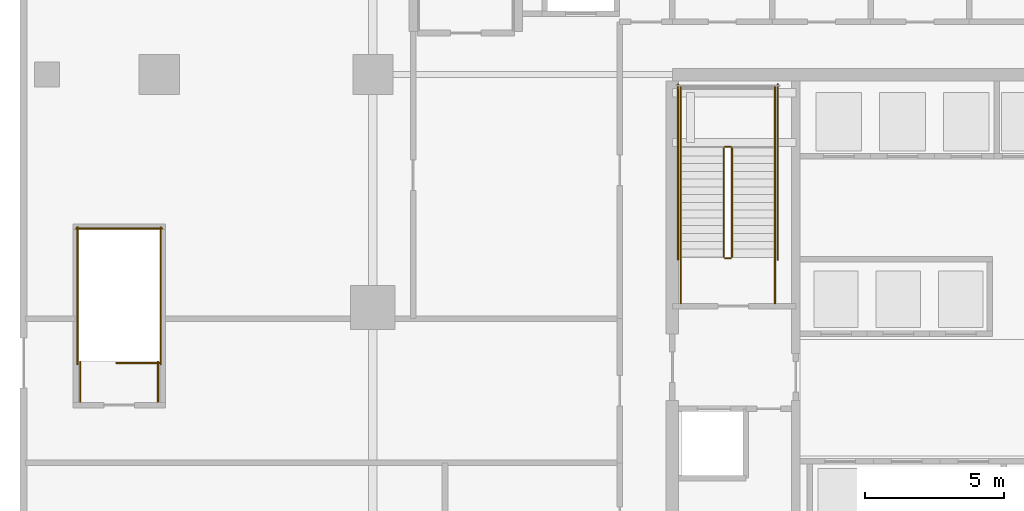
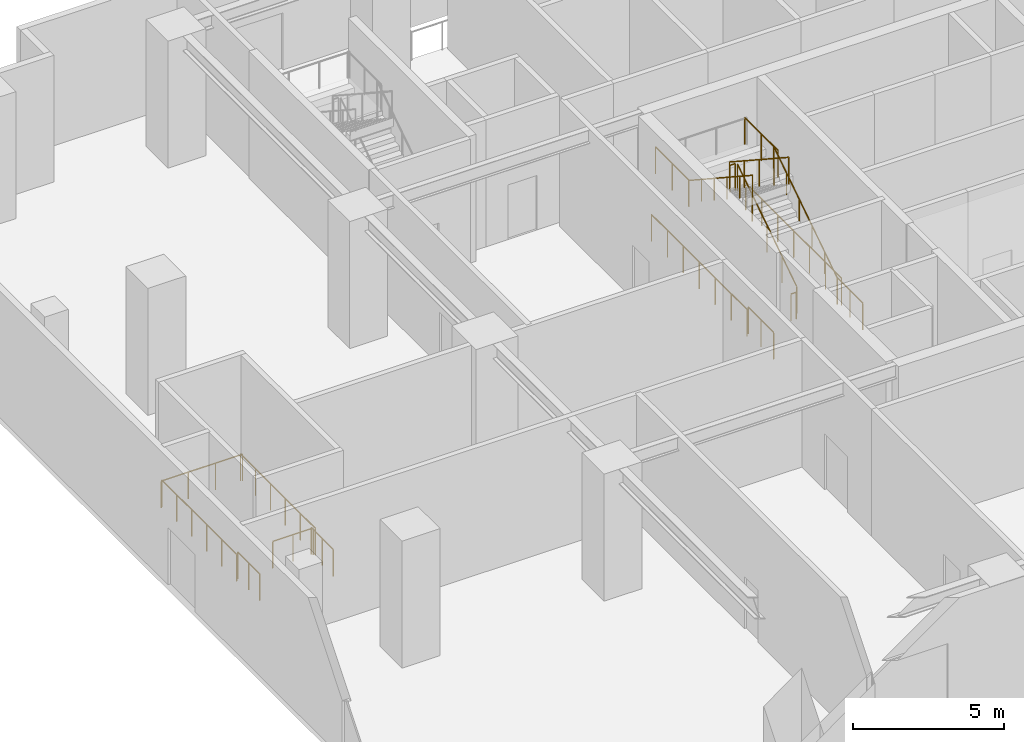
# One storey, part 11 of 15: 18 railings.
"""IFC4 building model written with IfcOpenShell, lengths in metres."""

from ifc_helpers import new_model, si_unit, direction, frame, origin, origin_2d, place, context, subcontext, project, spatial, circle, extrude, material, type_object, element, save


model = new_model("IFC4")

# Units and contexts
model_context = context("Model", 3, precision=1e-05, world=origin(), true_north=direction((0.0, 1.0)))
body_context = subcontext(model_context, "Body", "Model", "MODEL_VIEW")
ifc_project = project(units=[si_unit("LENGTHUNIT", "METRE"), si_unit("AREAUNIT", "SQUARE_METRE"), si_unit("VOLUMEUNIT", "CUBIC_METRE"), si_unit("PLANEANGLEUNIT", "RADIAN"), si_unit("MASSUNIT", "GRAM", prefix="KILO")], contexts=[model_context])

# Site, building, storey
site_placement = place(None, origin())
site = spatial("IfcSite", under=ifc_project, at=site_placement, CompositionType="ELEMENT")
building_placement = place(site_placement, origin())
building = spatial("IfcBuilding", under=site, at=building_placement, Name="Serunith Strait Residences", CompositionType="ELEMENT")
storey_placement = place(building_placement, origin())
storey = spatial("IfcBuildingStorey", under=building, at=storey_placement, Name="L00", CompositionType="ELEMENT", Elevation=0.0)

# Railings
ifc_material = material(Name="Brushed stainless steel 316L", Category="steel")
railing_type_1 = type_object("IfcRailingType", Name="RLG-STAIR-GUARD", PredefinedType="BALUSTRADE", material=ifc_material)
railing_1_placement = place(storey_placement, frame((25.550048828125, 27.030029296875, 0.183349609375)))
element("IfcRailing", 1, at=railing_1_placement, inside=storey, type_object=railing_type_1, Name="L00 ST-1 stair guard 1", PredefinedType="BALUSTRADE", context=body_context, shape_type="SweptSolid", body=[
    extrude(circle(Radius=0.02392578125, at=origin_2d()), frame((0.0, 0.001708984375, 1.0771484375), z_axis=(0.0, 0.836615117243, 0.547791151444), x_axis=(-1.0, 0.0, 0.0)), (0.0, 0.0, 1.0), 4.681396484375),
    extrude(circle(Radius=0.02099609375, at=origin_2d()), origin(), (0.0, 0.0, 1.0), 1.050048828125),
    extrude(circle(Radius=0.02099609375, at=origin_2d()), frame((0.0, 0.97998046875, 0.6416015625)), (0.0, 0.0, 1.0), 1.050048828125),
    extrude(circle(Radius=0.02099609375, at=origin_2d()), frame((0.0, 1.9599609375, 1.283203125)), (0.0, 0.0, 1.0), 1.050048828125),
    extrude(circle(Radius=0.02099609375, at=origin_2d()), frame((0.0, 2.93994140625, 1.925048828125)), (0.0, 0.0, 1.0), 1.050048828125),
    extrude(circle(Radius=0.02099609375, at=origin_2d()), frame((0.0, 3.919921875, 2.566650390625)), (0.0, 0.0, 1.0), 1.050048828125),
])
railing_2_placement = place(storey_placement, frame((25.5, 31.0, 2.75)))
element("IfcRailing", 2, at=railing_2_placement, inside=storey, type_object=railing_type_1, Name="L00 ST-1 stair guard 2", PredefinedType="BALUSTRADE", context=body_context, shape_type="SweptSolid", body=[
    extrude(circle(Radius=0.02392578125, at=origin_2d()), frame((-0.001953125, 0.0, 1.076171875), z_axis=(-1.0, 0.0, 0.0), x_axis=(0.0, -1.0, 0.0)), (0.0, 0.0, 1.0), 0.196044921875),
    extrude(circle(Radius=0.02099609375, at=origin_2d()), origin(), (0.0, 0.0, 1.0), 1.050048828125),
    extrude(circle(Radius=0.02099609375, at=origin_2d()), frame((-0.199951171875, 0.0, 0.0)), (0.0, 0.0, 1.0), 1.050048828125),
])
for number, where, name in (
    (3, (27.10009765625, 30.949951171875, 2.75), "L00 ST-1 stair guard 3"),
    (4, (23.699951171875, 30.949951171875, 2.75), "L00 ST-1 stair guard 4"),
):
    element("IfcRailing", number, at=place(storey_placement, frame(where)), inside=storey, type_object=railing_type_1, Name=name, PredefinedType="BALUSTRADE", context=body_context, shape_type="SweptSolid", body=[
        extrude(circle(Radius=0.02392578125, at=origin_2d()), frame((0.0, 0.001953125, 1.076171875), z_axis=(0.0, 1.0, 0.0), x_axis=(-1.0, 0.0, 0.0)), (0.0, 0.0, 1.0), 2.196044921875),
        extrude(circle(Radius=0.02099609375, at=origin_2d()), origin(), (0.0, 0.0, 1.0), 1.050048828125),
        extrude(circle(Radius=0.02099609375, at=origin_2d()), frame((0.0, 1.10009765625, 0.0)), (0.0, 0.0, 1.0), 1.050048828125),
        extrude(circle(Radius=0.02099609375, at=origin_2d()), frame((0.0, 2.199951171875, 0.0)), (0.0, 0.0, 1.0), 1.050048828125),
    ])
railing_3_placement = place(storey_placement, frame((25.25, 30.949951171875, 2.933349609375)))
element("IfcRailing", 5, at=railing_3_placement, inside=storey, type_object=railing_type_1, Name="L00 ST-1 stair guard 6", PredefinedType="BALUSTRADE", context=body_context, shape_type="SweptSolid", body=[
    extrude(circle(Radius=0.02392578125, at=origin_2d()), frame((0.0, -0.001708984375, 1.0771484375), z_axis=(0.0, -0.836615117243, 0.547791151444), x_axis=(1.0, 0.0, 0.0)), (0.0, 0.0, 1.0), 4.681396484375),
    extrude(circle(Radius=0.02099609375, at=origin_2d()), origin(), (0.0, 0.0, 1.0), 1.050048828125),
    extrude(circle(Radius=0.02099609375, at=origin_2d()), frame((0.0, -0.97998046875, 0.6416015625)), (0.0, 0.0, 1.0), 1.050048828125),
    extrude(circle(Radius=0.02099609375, at=origin_2d()), frame((0.0, -1.9599609375, 1.283203125)), (0.0, 0.0, 1.0), 1.050048828125),
    extrude(circle(Radius=0.02099609375, at=origin_2d()), frame((0.0, -2.93994140625, 1.925048828125)), (0.0, 0.0, 1.0), 1.050048828125),
    extrude(circle(Radius=0.02099609375, at=origin_2d()), frame((0.0, -3.919921875, 2.566650390625)), (0.0, 0.0, 1.0), 1.050048828125),
])
railing_4_placement = place(storey_placement, frame((25.5, 26.97998046875, 0.0)))
element("IfcRailing", 6, at=railing_4_placement, inside=storey, type_object=railing_type_1, Name="L00 ST-1 stair guard 7", PredefinedType="BALUSTRADE", context=body_context, shape_type="SweptSolid", body=[
    extrude(circle(Radius=0.02392578125, at=origin_2d()), frame((-0.001953125, 0.0, 1.076171875), z_axis=(-1.0, 0.0, 0.0), x_axis=(0.0, -1.0, 0.0)), (0.0, 0.0, 1.0), 0.196044921875),
    extrude(circle(Radius=0.02099609375, at=origin_2d()), origin(), (0.0, 0.0, 1.0), 1.050048828125),
    extrude(circle(Radius=0.02099609375, at=origin_2d()), frame((-0.199951171875, 0.0, 0.0)), (0.0, 0.0, 1.0), 1.050048828125),
])
for number, where, name in (
    (7, (27.10009765625, 25.35009765625, 0.0), "L00 ST-1 stair guard 8"),
    (8, (23.699951171875, 25.35009765625, 0.0), "L00 ST-1 stair guard 9"),
):
    element("IfcRailing", number, at=place(storey_placement, frame(where)), inside=storey, type_object=railing_type_1, Name=name, PredefinedType="BALUSTRADE", context=body_context, shape_type="SweptSolid", body=[
        extrude(circle(Radius=0.02392578125, at=origin_2d()), frame((0.0, 0.001953125, 1.076171875), z_axis=(0.0, 1.0, 0.0), x_axis=(-1.0, 0.0, 0.0)), (0.0, 0.0, 1.0), 1.676025390625),
        extrude(circle(Radius=0.02099609375, at=origin_2d()), origin(), (0.0, 0.0, 1.0), 1.050048828125),
        extrude(circle(Radius=0.02099609375, at=origin_2d()), frame((0.0, 0.83984375, 0.0)), (0.0, 0.0, 1.0), 1.050048828125),
        extrude(circle(Radius=0.02099609375, at=origin_2d()), frame((0.0, 1.679931640625, 0.0)), (0.0, 0.0, 1.0), 1.050048828125),
    ])
for number, where, name in (
    (9, (27.199951171875, 26.929931640625, 0.0), "L00 ST-1 stair guard 10"),
    (10, (23.60009765625, 26.929931640625, 0.0), "L00 ST-1 stair guard 11"),
):
    element("IfcRailing", number, at=place(storey_placement, frame(where)), inside=storey, type_object=railing_type_1, Name=name, PredefinedType="BALUSTRADE", context=body_context, shape_type="SweptSolid", body=[
        extrude(circle(Radius=0.02392578125, at=origin_2d()), frame((0.0, 0.001953125, 1.076171875), z_axis=(0.0, 1.0, 0.0), x_axis=(-1.0, 0.0, 0.0)), (0.0, 0.0, 1.0), 6.316162109375),
        extrude(circle(Radius=0.02099609375, at=origin_2d()), origin(), (0.0, 0.0, 1.0), 1.050048828125),
        extrude(circle(Radius=0.02099609375, at=origin_2d()), frame((0.0, 1.05322265625, 0.0)), (0.0, 0.0, 1.0), 1.050048828125),
        extrude(circle(Radius=0.02099609375, at=origin_2d()), frame((0.0, 2.106689453125, 0.0)), (0.0, 0.0, 1.0), 1.050048828125),
        extrude(circle(Radius=0.02099609375, at=origin_2d()), frame((0.0, 3.16015625, 0.0)), (0.0, 0.0, 1.0), 1.050048828125),
        extrude(circle(Radius=0.02099609375, at=origin_2d()), frame((0.0, 4.21337890625, 0.0)), (0.0, 0.0, 1.0), 1.050048828125),
        extrude(circle(Radius=0.02099609375, at=origin_2d()), frame((0.0, 5.2666015625, 0.0)), (0.0, 0.0, 1.0), 1.050048828125),
        extrude(circle(Radius=0.02099609375, at=origin_2d()), frame((0.0, 6.320068359375, 0.0)), (0.0, 0.0, 1.0), 1.050048828125),
    ])
railing_5_placement = place(storey_placement, frame((4.89990234375, 23.199951171875, 0.0)))
element("IfcRailing", 11, at=railing_5_placement, inside=storey, type_object=railing_type_1, Name="L00 ST-5 top well guard 1", PredefinedType="BALUSTRADE", context=body_context, shape_type="SweptSolid", body=[
    extrude(circle(Radius=0.02392578125, at=origin_2d()), frame((-0.001953125, 0.0, 1.076171875), z_axis=(-1.0, 0.0, 0.0), x_axis=(0.0, -1.0, 0.0)), (0.0, 0.0, 1.0), 1.5458984375),
    extrude(circle(Radius=0.02099609375, at=origin_2d()), origin(), (0.0, 0.0, 1.0), 1.050048828125),
    extrude(circle(Radius=0.02099609375, at=origin_2d()), frame((-0.77490234375, 0.0, 0.0)), (0.0, 0.0, 1.0), 1.050048828125),
    extrude(circle(Radius=0.02099609375, at=origin_2d()), frame((-1.5498046875, 0.0, 0.0)), (0.0, 0.0, 1.0), 1.050048828125),
])
for number, where, name in (
    (12, (4.949951171875, 23.14990234375, 0.0), "L00 ST-5 top well guard 2"),
    (13, (1.949951171875, 23.14990234375, 0.0), "L00 ST-5 top well guard 3"),
):
    element("IfcRailing", number, at=place(storey_placement, frame(where)), inside=storey, type_object=railing_type_1, Name=name, PredefinedType="BALUSTRADE", context=body_context, shape_type="SweptSolid", body=[
        extrude(circle(Radius=0.02392578125, at=origin_2d()), frame((0.0, 0.001953125, 1.076171875), z_axis=(0.0, 1.0, 0.0), x_axis=(-1.0, 0.0, 0.0)), (0.0, 0.0, 1.0), 4.9462890625),
        extrude(circle(Radius=0.02099609375, at=origin_2d()), origin(), (0.0, 0.0, 1.0), 1.050048828125),
        extrude(circle(Radius=0.02099609375, at=origin_2d()), frame((0.0, 0.989990234375, 0.0)), (0.0, 0.0, 1.0), 1.050048828125),
        extrude(circle(Radius=0.02099609375, at=origin_2d()), frame((0.0, 1.97998046875, 0.0)), (0.0, 0.0, 1.0), 1.050048828125),
        extrude(circle(Radius=0.02099609375, at=origin_2d()), frame((0.0, 2.97021484375, 0.0)), (0.0, 0.0, 1.0), 1.050048828125),
        extrude(circle(Radius=0.02099609375, at=origin_2d()), frame((0.0, 3.960205078125, 0.0)), (0.0, 0.0, 1.0), 1.050048828125),
        extrude(circle(Radius=0.02099609375, at=origin_2d()), frame((0.0, 4.9501953125, 0.0)), (0.0, 0.0, 1.0), 1.050048828125),
    ])
railing_6_placement = place(storey_placement, frame((5.0, 28.050048828125, 0.0)))
element("IfcRailing", 14, at=railing_6_placement, inside=storey, type_object=railing_type_1, Name="L00 ST-5 top well guard 4", PredefinedType="BALUSTRADE", context=body_context, shape_type="SweptSolid", body=[
    extrude(circle(Radius=0.02392578125, at=origin_2d()), frame((-0.001953125, 0.0, 1.076171875), z_axis=(-1.0, 0.0, 0.0), x_axis=(0.0, -1.0, 0.0)), (0.0, 0.0, 1.0), 3.09619140625),
    extrude(circle(Radius=0.02099609375, at=origin_2d()), origin(), (0.0, 0.0, 1.0), 1.050048828125),
    extrude(circle(Radius=0.02099609375, at=origin_2d()), frame((-1.033447265625, 0.0, 0.0)), (0.0, 0.0, 1.0), 1.050048828125),
    extrude(circle(Radius=0.02099609375, at=origin_2d()), frame((-2.066650390625, 0.0, 0.0)), (0.0, 0.0, 1.0), 1.050048828125),
    extrude(circle(Radius=0.02099609375, at=origin_2d()), frame((-3.10009765625, 0.0, 0.0)), (0.0, 0.0, 1.0), 1.050048828125),
])
for number, where, name in (
    (15, (4.85009765625, 21.800048828125, 0.0), "L00 ST-5 top well guard 5"),
    (16, (2.050048828125, 21.800048828125, 0.0), "L00 ST-5 top well guard 6"),
):
    element("IfcRailing", number, at=place(storey_placement, frame(where)), inside=storey, type_object=railing_type_1, Name=name, PredefinedType="BALUSTRADE", context=body_context, shape_type="SweptSolid", body=[
        extrude(circle(Radius=0.02392578125, at=origin_2d()), frame((0.0, 0.001953125, 1.076171875), z_axis=(0.0, 1.0, 0.0), x_axis=(-1.0, 0.0, 0.0)), (0.0, 0.0, 1.0), 1.446044921875),
        extrude(circle(Radius=0.02099609375, at=origin_2d()), origin(), (0.0, 0.0, 1.0), 1.050048828125),
        extrude(circle(Radius=0.02099609375, at=origin_2d()), frame((0.0, 0.72509765625, 0.0)), (0.0, 0.0, 1.0), 1.050048828125),
        extrude(circle(Radius=0.02099609375, at=origin_2d()), frame((0.0, 1.449951171875, 0.0)), (0.0, 0.0, 1.0), 1.050048828125),
    ])
railing_type_2 = type_object("IfcRailingType", Name="RLG-STAIR-HR", PredefinedType="HANDRAIL", material=ifc_material)
railing_7_placement = place(storey_placement, frame((27.10009765625, 27.030029296875, 0.183349609375)))
element("IfcRailing", 17, at=railing_7_placement, inside=storey, type_object=railing_type_2, Name="L00 ST-1 stair handrail 1", PredefinedType="HANDRAIL", context=body_context, shape_type="SweptSolid", body=[
    extrude(circle(Radius=0.02392578125, at=origin_2d()), frame((0.0, 0.001708984375, 0.876953125), z_axis=(0.0, 0.836169820036, 0.548470630081), x_axis=(-1.0, 0.0, 0.0)), (0.0, 0.0, 1.0), 5.018798828125),
    extrude(circle(Radius=0.02099609375, at=origin_2d()), origin(), (0.0, 0.0, 1.0), 0.849853515625),
    extrude(circle(Radius=0.02099609375, at=origin_2d()), frame((0.0, 0.840087890625, 0.551025390625)), (0.0, 0.0, 1.0), 0.849853515625),
    extrude(circle(Radius=0.02099609375, at=origin_2d()), frame((0.0, 1.679931640625, 1.10205078125)), (0.0, 0.0, 1.0), 0.849853515625),
    extrude(circle(Radius=0.02099609375, at=origin_2d()), frame((0.0, 2.52001953125, 1.65283203125)), (0.0, 0.0, 1.0), 0.849853515625),
    extrude(circle(Radius=0.02099609375, at=origin_2d()), frame((0.0, 3.35986328125, 2.203857421875)), (0.0, 0.0, 1.0), 0.849853515625),
    extrude(circle(Radius=0.02099609375, at=origin_2d()), frame((0.0, 4.199951171875, 2.7548828125)), (0.0, 0.0, 1.0), 0.849853515625),
])
railing_8_placement = place(storey_placement, frame((23.699951171875, 30.949951171875, 2.933349609375)))
element("IfcRailing", 18, at=railing_8_placement, inside=storey, type_object=railing_type_2, Name="L00 ST-1 stair handrail 2", PredefinedType="HANDRAIL", context=body_context, shape_type="SweptSolid", body=[
    extrude(circle(Radius=0.02392578125, at=origin_2d()), frame((0.0, -0.001708984375, 0.876953125), z_axis=(0.0, -0.836169820036, 0.548470630081), x_axis=(1.0, 0.0, 0.0)), (0.0, 0.0, 1.0), 5.018798828125),
    extrude(circle(Radius=0.02099609375, at=origin_2d()), origin(), (0.0, 0.0, 1.0), 0.849853515625),
    extrude(circle(Radius=0.02099609375, at=origin_2d()), frame((0.0, -0.840087890625, 0.551025390625)), (0.0, 0.0, 1.0), 0.849853515625),
    extrude(circle(Radius=0.02099609375, at=origin_2d()), frame((0.0, -1.679931640625, 1.10205078125)), (0.0, 0.0, 1.0), 0.849853515625),
    extrude(circle(Radius=0.02099609375, at=origin_2d()), frame((0.0, -2.52001953125, 1.65283203125)), (0.0, 0.0, 1.0), 0.849853515625),
    extrude(circle(Radius=0.02099609375, at=origin_2d()), frame((0.0, -3.35986328125, 2.203857421875)), (0.0, 0.0, 1.0), 0.849853515625),
    extrude(circle(Radius=0.02099609375, at=origin_2d()), frame((0.0, -4.199951171875, 2.7548828125)), (0.0, 0.0, 1.0), 0.849853515625),
])

save(model, "model.ifc")
